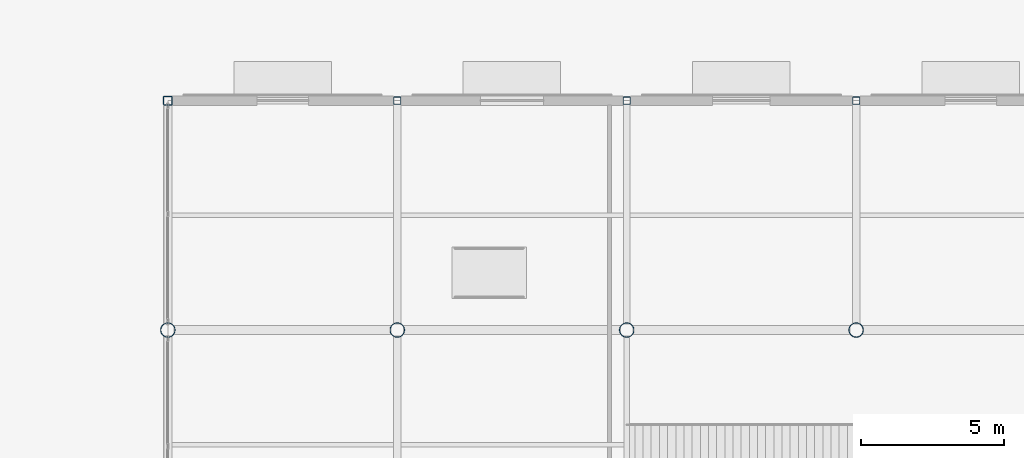
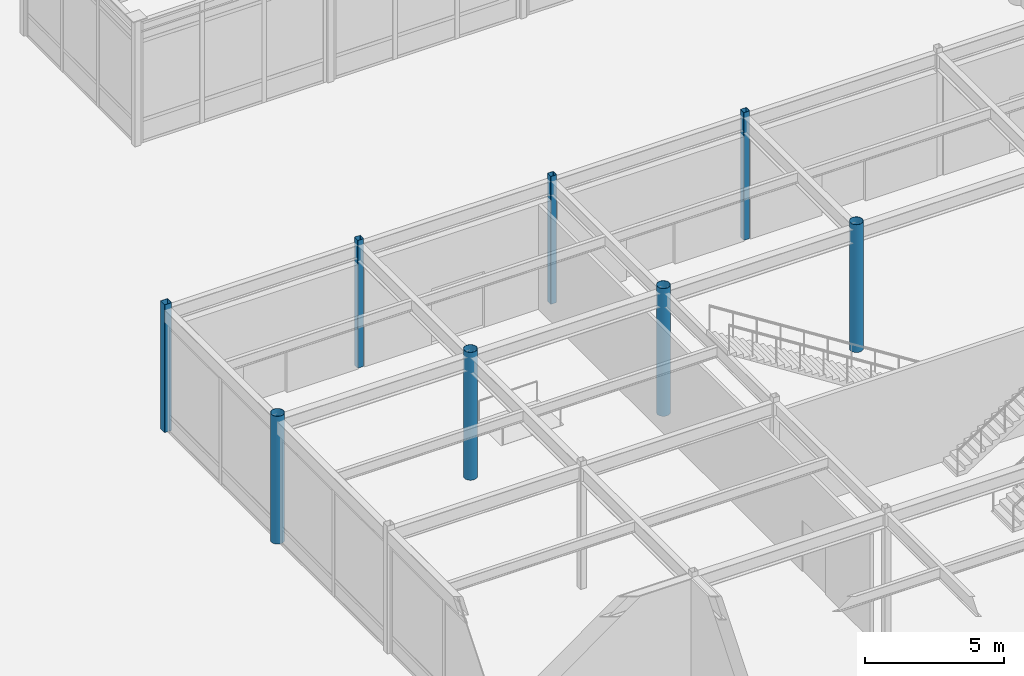
# One storey, part 4 of 128: 8 columns.
"""IFC4 building model written with IfcOpenShell, lengths in metres."""

from ifc_helpers import new_model, si_unit, direction, frame, origin, origin_2d, place, context, subcontext, project, spatial, hollow_rectangle, hollow_circle, extrude, material, material_profile, profile_set, type_object, element, save


model = new_model("IFC4")

# Units and contexts
model_context = context("Model", 3, precision=1e-05, world=origin(), true_north=direction((0.0, 1.0)))
body_context = subcontext(model_context, "Body", "Model", "MODEL_VIEW")
ifc_project = project(units=[si_unit("LENGTHUNIT", "METRE"), si_unit("AREAUNIT", "SQUARE_METRE"), si_unit("VOLUMEUNIT", "CUBIC_METRE"), si_unit("PLANEANGLEUNIT", "RADIAN"), si_unit("MASSUNIT", "GRAM", prefix="KILO")], contexts=[model_context])

# Site, building, storey
site_placement = place(None, origin())
site = spatial("IfcSite", under=ifc_project, at=site_placement, CompositionType="ELEMENT")
building_placement = place(site_placement, origin())
building = spatial("IfcBuilding", under=site, at=building_placement, Name="Solmirada Galleria", CompositionType="ELEMENT")
storey_placement = place(building_placement, origin())
storey = spatial("IfcBuildingStorey", under=building, at=storey_placement, Name="L00", CompositionType="ELEMENT", Elevation=0.0)

# Columns
ifc_material = material(Name="Steel S355 / ASTM A500 Grade C", Category="steel")
ifc_material_profile_1 = material_profile(ifc_material, hollow_circle(Radius=0.25390625, WallThickness=0.01171875, at=origin_2d()), Name="HSS20.000X0.500")
ifc_profile_set_1 = profile_set([ifc_material_profile_1], Name="Steel S355 / ASTM A500 Grade C")
column_type_1 = type_object("IfcColumnType", Name="COL-CHS20", PredefinedType="COLUMN", material=ifc_profile_set_1)
for number, where, z_axis, x_axis, name in (
    (1, (40.0, 32.0, 0.0), (0.0, 0.0, 1.0), (1.0, 0.0, 0.0), "Structural column L00-0030"),
    (2, (48.0, 32.0, 0.0), (0.0, 0.0, 1.0), (1.0, 0.0, 0.0), "Structural column L00-0093"),
    (3, (56.0, 32.0, 0.0), (0.0, 0.0, 1.0), (1.0, 0.0, 0.0), "Structural column L00-0160"),
    (4, (64.0, 32.0, 0.0), (0.0, 0.0, 1.0), (1.0, 0.0, 0.0), "Structural column L00-0224"),
):
    element("IfcColumn", number, at=place(storey_placement, frame(where, z_axis=z_axis, x_axis=x_axis)), inside=storey, type_object=column_type_1, Name=name, PredefinedType="COLUMN", context=body_context, shape_type="SweptSolid", body=[
        extrude(hollow_circle(Radius=0.25390625, WallThickness=0.01171875, at=origin_2d()), origin(), (0.0, 0.0, 1.0), 5.60009765625),
    ])
ifc_material_profile_2 = material_profile(ifc_material, hollow_rectangle(XDim=0.25390625, YDim=0.25390625, WallThickness=0.0087890625, InnerFilletRadius=0.0087890625, OuterFilletRadius=0.017822265625, at=origin_2d()), Name="HSS10X10X3/8")
ifc_profile_set_2 = profile_set([ifc_material_profile_2], Name="Steel S355 / ASTM A500 Grade C")
column_type_2 = type_object("IfcColumnType", Name="COL-HSS10", PredefinedType="COLUMN", material=ifc_profile_set_2)
for number, where, z_axis, x_axis, name in (
    (5, (48.0, 40.0, 0.0), (0.0, 0.0, 1.0), (1.0, 0.0, 0.0), "Structural column L00-0100"),
    (6, (56.0, 40.0, 0.0), (0.0, 0.0, 1.0), (1.0, 0.0, 0.0), "Structural column L00-0167"),
    (7, (64.0, 40.0, 0.0), (0.0, 0.0, 1.0), (1.0, 0.0, 0.0), "Structural column L00-0231"),
):
    element("IfcColumn", number, at=place(storey_placement, frame(where, z_axis=z_axis, x_axis=x_axis)), inside=storey, type_object=column_type_2, Name=name, PredefinedType="COLUMN", context=body_context, shape_type="SweptSolid", body=[
        extrude(hollow_rectangle(XDim=0.25390625, YDim=0.25390625, WallThickness=0.0087890625, InnerFilletRadius=0.0087890625, OuterFilletRadius=0.017822265625, at=origin_2d()), origin(), (0.0, 0.0, 1.0), 5.60009765625),
    ])
ifc_material_profile_3 = material_profile(ifc_material, hollow_rectangle(XDim=0.304931640625, YDim=0.304931640625, WallThickness=0.01171875, InnerFilletRadius=0.01171875, OuterFilletRadius=0.023681640625, at=origin_2d()), Name="HSS12X12X1/2")
ifc_profile_set_3 = profile_set([ifc_material_profile_3], Name="Steel S355 / ASTM A500 Grade C")
column_type_3 = type_object("IfcColumnType", Name="COL-HSS12", PredefinedType="COLUMN", material=ifc_profile_set_3)
column_placement = place(storey_placement, frame((40.0, 40.0, 0.0), z_axis=(0.0, 0.0, 1.0), x_axis=(1.0, 0.0, 0.0)))
element("IfcColumn", 8, at=column_placement, inside=storey, type_object=column_type_3, Name="Structural column L00-0037", PredefinedType="COLUMN", context=body_context, shape_type="SweptSolid", body=[
    extrude(hollow_rectangle(XDim=0.304931640625, YDim=0.304931640625, WallThickness=0.01171875, InnerFilletRadius=0.01171875, OuterFilletRadius=0.023681640625, at=origin_2d()), origin(), (0.0, 0.0, 1.0), 5.60009765625),
])

save(model, "model.ifc")
